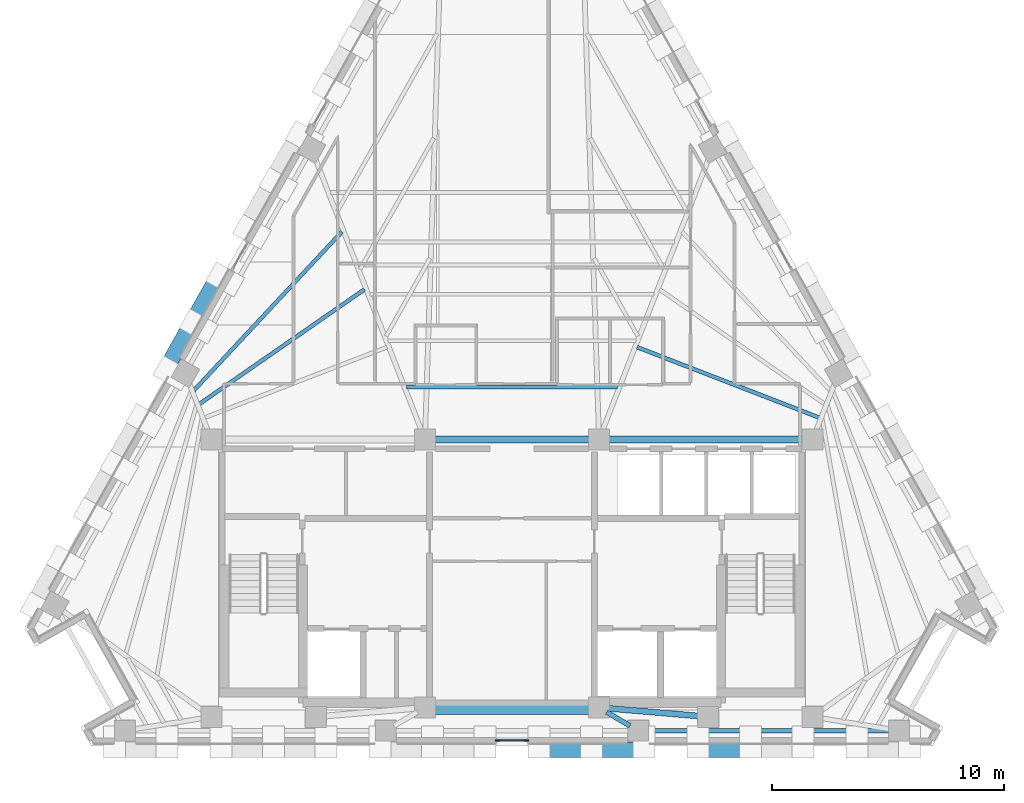
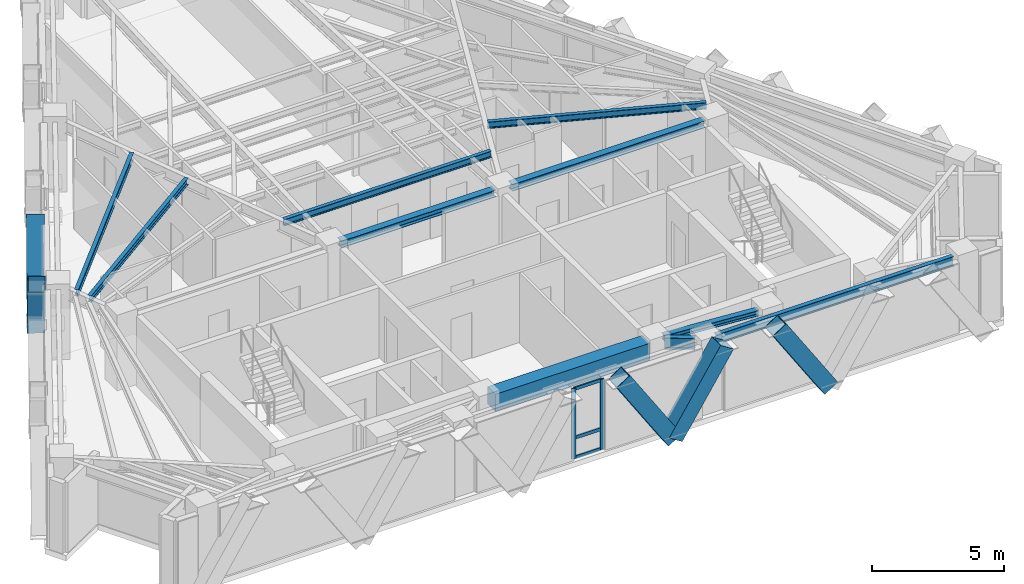
# One storey, part 2 of 12: 10 beams, 10 members, 1 element without a shape of its own.
"""IFC4 building model written with IfcOpenShell, lengths in metres."""

from ifc_helpers import new_model, si_unit, direction, frame, origin, origin_2d, place, context, subcontext, project, spatial, rectangle, hollow_rectangle, i_section, extrude, material, material_profile, profile_set, type_object, element, aggregate, save


model = new_model("IFC4")

# Units and contexts
model_context = context("Model", 3, precision=1e-05, world=origin(), true_north=direction((0.0, 1.0)))
body_context = subcontext(model_context, "Body", "Model", "MODEL_VIEW")
ifc_project = project(units=[si_unit("LENGTHUNIT", "METRE"), si_unit("AREAUNIT", "SQUARE_METRE"), si_unit("VOLUMEUNIT", "CUBIC_METRE"), si_unit("PLANEANGLEUNIT", "RADIAN"), si_unit("MASSUNIT", "GRAM", prefix="KILO")], contexts=[model_context])

# Site, building, storey
site_placement = place(None, origin())
site = spatial("IfcSite", under=ifc_project, at=site_placement, CompositionType="ELEMENT")
building_placement = place(site_placement, origin())
building = spatial("IfcBuilding", under=site, at=building_placement, Name="Quenlor Broadcast Tower", CompositionType="ELEMENT")
storey_placement = place(building_placement, frame((0.0, 0.0, 211.39990234375)))
storey = spatial("IfcBuildingStorey", under=building, at=storey_placement, Name="L58", CompositionType="ELEMENT", Elevation=211.39990234375)

# Curtain wall, members
ifc_material_1 = material(Name="Architectural Terracotta and Low-E Glazing", Category="masonry")
curtain_wall_type = type_object("IfcCurtainWallType", Name="Unitised Terracotta Curtain Wall System Z4", PredefinedType="NOTDEFINED", material=ifc_material_1)
curtain_wall_placement = place(storey_placement, origin())
curtain_wall = element("IfcCurtainWall", 1, at=curtain_wall_placement, inside=storey, type_object=curtain_wall_type, Name="L58 Curtain Wall CW4 (L58-S-G1)", PredefinedType="NOTDEFINED")
ifc_material_2 = material(Name="Aluminium 6063-T6", Category="aluminium")
ifc_material_profile_1 = material_profile(ifc_material_2, rectangle(XDim=0.068115234375, YDim=0.179931640625, at=origin_2d()))
ifc_profile_set_1 = profile_set([ifc_material_profile_1], Name="Aluminium 6063-T6 MULL68x180")
member_type_1 = type_object("IfcMemberType", Name="CW4 Aluminium Mullion MULL_CW4", PredefinedType="MULLION", material=ifc_profile_set_1)
member_1_placement = place(storey_placement, frame((0.62841796875, -17.77490234375, 0.0), z_axis=(0.0, 0.0, 1.0), x_axis=(0.0, -1.0, 0.0)))
member_1 = element("IfcMember", 2, at=member_1_placement, type_object=member_type_1, Name="CW4 mullion 1", PredefinedType="MULLION", context=body_context, shape_type="SweptSolid", body=[
    extrude(rectangle(XDim=0.068115234375, YDim=0.179931640625, at=origin_2d()), origin(), (0.0, 0.0, 1.0), 3.25),
])
member_2_placement = place(storey_placement, frame((-0.62841796875, -17.77490234375, 0.0), z_axis=(0.0, 0.0, 1.0), x_axis=(0.0, -1.0, 0.0)))
member_2 = element("IfcMember", 3, at=member_2_placement, type_object=member_type_1, Name="CW4 mullion 2", PredefinedType="MULLION", context=body_context, shape_type="SweptSolid", body=[
    extrude(rectangle(XDim=0.068115234375, YDim=0.179931640625, at=origin_2d()), origin(), (0.0, 0.0, 1.0), 3.25),
])
ifc_material_3 = material(Name="Aluminium 6063-T6", Category="aluminium")
ifc_material_profile_2 = material_profile(ifc_material_3, rectangle(XDim=0.068115234375, YDim=0.14990234375, at=origin_2d()))
ifc_profile_set_2 = profile_set([ifc_material_profile_2], Name="Aluminium 6063-T6 TRAN68x150")
member_type_2 = type_object("IfcMemberType", Name="CW4 Aluminium Transom TRAN_CW4", PredefinedType="USERDEFINED", material=ifc_profile_set_2)
member_3_placement = place(storey_placement, frame((0.59423828125, -17.77490234375, 0.0341796875), z_axis=(-1.0, 0.0, 0.0), x_axis=(0.0, -1.0, 0.0)))
member_3 = element("IfcMember", 4, at=member_3_placement, type_object=member_type_2, Name="CW4 transom 1.1", ObjectType="TRANSOM", PredefinedType="USERDEFINED", context=body_context, shape_type="SweptSolid", body=[
    extrude(rectangle(XDim=0.068115234375, YDim=0.14990234375, at=origin_2d()), origin(), (0.0, 0.0, 1.0), 1.1884765625),
])
member_4_placement = place(storey_placement, frame((0.59423828125, -17.77490234375, 0.9501953125), z_axis=(-1.0, 0.0, 0.0), x_axis=(0.0, -1.0, 0.0)))
member_4 = element("IfcMember", 5, at=member_4_placement, type_object=member_type_2, Name="CW4 transom 1.2", ObjectType="TRANSOM", PredefinedType="USERDEFINED", context=body_context, shape_type="SweptSolid", body=[
    extrude(rectangle(XDim=0.068115234375, YDim=0.14990234375, at=origin_2d()), origin(), (0.0, 0.0, 1.0), 1.1884765625),
])
member_5_placement = place(storey_placement, frame((0.59423828125, -17.77490234375, 3.216064453125), z_axis=(-1.0, 0.0, 0.0), x_axis=(0.0, -1.0, 0.0)))
member_5 = element("IfcMember", 6, at=member_5_placement, type_object=member_type_2, Name="CW4 transom 1.3", ObjectType="TRANSOM", PredefinedType="USERDEFINED", context=body_context, shape_type="SweptSolid", body=[
    extrude(rectangle(XDim=0.068115234375, YDim=0.14990234375, at=origin_2d()), origin(), (0.0, 0.0, 1.0), 1.1884765625),
])
aggregate(curtain_wall, [member_1, member_2, member_3, member_4, member_5])

# Beams
ifc_material_4 = material(Name="Concrete C50/60", Category="concrete")
ifc_material_profile_3 = material_profile(ifc_material_4, rectangle(XDim=0.60009765625, YDim=0.800048828125, at=origin_2d()))
ifc_profile_set_3 = profile_set([ifc_material_profile_3], Name="Concrete C50/60 RCB600x800")
beam_type_1 = type_object("IfcBeamType", Name="Core Coupling Beam Concrete C50/60 600x800", PredefinedType="BEAM", material=ifc_profile_set_3)
beam_1_placement = place(storey_placement, frame((-3.389892578125, -16.35009765625, 2.85009765625), z_axis=(1.0, 0.0, 0.0), x_axis=(0.0, 1.0, 0.0)))
element("IfcBeam", 7, at=beam_1_placement, inside=storey, type_object=beam_type_1, Name="L58 Core Coupling Beam 6", PredefinedType="BEAM", context=body_context, shape_type="SweptSolid", body=[
    extrude(rectangle(XDim=0.60009765625, YDim=0.800048828125, at=origin_2d()), origin(), (0.0, 0.0, 1.0), 6.77978515625),
])
ifc_material_5 = material(Name="Steel S355", Category="steel")
ifc_material_profile_4 = material_profile(ifc_material_5, i_section(OverallWidth=0.304931640625, OverallDepth=0.30810546875, WebThickness=0.010009765625, FlangeThickness=0.015380859375, FilletRadius=0.0166015625, at=origin_2d()))
ifc_profile_set_4 = profile_set([ifc_material_profile_4], Name="Steel S355 310UC96.8")
beam_type_2 = type_object("IfcBeamType", Name="Core Header Beam Steel S355 310UC96.8", PredefinedType="BEAM", material=ifc_profile_set_4)
beam_2_placement = place(storey_placement, frame((-3.389892578125, -4.800048828125, 3.09619140625), z_axis=(1.0, 0.0, 0.0), x_axis=(0.0, 1.0, 0.0)))
element("IfcBeam", 8, at=beam_2_placement, inside=storey, type_object=beam_type_2, Name="L58 Core Header Beam 2", PredefinedType="BEAM", context=body_context, shape_type="SweptSolid", body=[
    extrude(i_section(OverallWidth=0.304931640625, OverallDepth=0.30810546875, WebThickness=0.010009765625, FlangeThickness=0.015380859375, FilletRadius=0.0166015625, at=origin_2d()), origin(), (0.0, 0.0, 1.0), 6.77978515625),
])
ifc_material_6 = material(Name="Steel S355", Category="steel")
ifc_material_profile_5 = material_profile(ifc_material_6, i_section(OverallWidth=0.25390625, OverallDepth=0.25390625, WebThickness=0.008544921875, FlangeThickness=0.01416015625, FilletRadius=0.013916015625, at=origin_2d()))
ifc_profile_set_5 = profile_set([ifc_material_profile_5], Name="Steel S355 250UC72.9")
beam_type_3 = type_object("IfcBeamType", Name="Core Opening Lintel Beam Steel S355 250UC72.9", PredefinedType="LINTEL", material=ifc_profile_set_5)
beam_3_placement = place(storey_placement, frame((4.108642578125, -16.380615234375, 3.123291015625), z_axis=(0.996399763903, -0.084779186679, 0.0), x_axis=(0.084779186679, 0.996399763903, 0.0)))
element("IfcBeam", 9, at=beam_3_placement, inside=storey, type_object=beam_type_3, Name="L58 Core Opening Lintel Beam 5", PredefinedType="LINTEL", context=body_context, shape_type="SweptSolid", body=[
    extrude(i_section(OverallWidth=0.25390625, OverallDepth=0.25390625, WebThickness=0.008544921875, FlangeThickness=0.01416015625, FilletRadius=0.013916015625, at=origin_2d()), origin(), (0.0, 0.0, 1.0), 3.9970703125),
])
ifc_material_7 = material(Name="Steel S355", Category="steel")
ifc_material_profile_6 = material_profile(ifc_material_7, i_section(OverallWidth=0.306884765625, OverallDepth=0.314697265625, WebThickness=0.011962890625, FlangeThickness=0.018798828125, FilletRadius=0.0166015625, at=origin_2d()))
ifc_profile_set_6 = profile_set([ifc_material_profile_6], Name="Steel S355 310UC118")
beam_type_4 = type_object("IfcBeamType", Name="Core Tie Beam Steel S355 310UC118", PredefinedType="BEAM", material=ifc_profile_set_6)
beam_4_placement = place(storey_placement, frame((4.110107421875, -4.800048828125, 3.0927734375), z_axis=(1.0, 0.0, 0.0), x_axis=(0.0, 1.0, 0.0)))
element("IfcBeam", 10, at=beam_4_placement, inside=storey, type_object=beam_type_4, Name="L58 Core Tie Beam 3", PredefinedType="BEAM", context=body_context, shape_type="SweptSolid", body=[
    extrude(i_section(OverallWidth=0.306884765625, OverallDepth=0.314697265625, WebThickness=0.011962890625, FlangeThickness=0.018798828125, FilletRadius=0.0166015625, at=origin_2d()), origin(), (0.0, 0.0, 1.0), 8.47998046875),
])

# Members
ifc_material_8 = material(Name="Steel S355", Category="steel")
ifc_material_profile_7 = material_profile(ifc_material_8, hollow_rectangle(XDim=0.679931640625, YDim=0.679931640625, WallThickness=0.02490234375, at=origin_2d()))
ifc_profile_set_7 = profile_set([ifc_material_profile_7], Name="Steel S355 RHS680x680x25")
member_type_3 = type_object("IfcMemberType", Name="Perimeter Diagonal Lattice Brace Z3-Z4 Steel S355 RHS680x25", PredefinedType="BRACE", material=ifc_profile_set_7)
for number, where, z_axis, x_axis, name in (
    (11, (10.261962890625, -18.169921875, -0.119873046875), (-0.541794306908, 0.0, 0.840511111766), (0.0, -1.0, 0.0), "L58 Perimeter Diamond Lattice S-C2S"),
    (12, (3.43896484375, -18.169921875, -0.119873046875), (0.541794306908, 0.0, 0.840511111766), (0.0, 1.0, 0.0), "L58 Perimeter Diamond Lattice S-C2B"),
    (13, (3.41162109375, -18.169921875, -0.119873046875), (-0.541794306908, 0.0, 0.840511111766), (0.0, -1.0, 0.0), "L58 Perimeter Diamond Lattice S-C3S"),
):
    element("IfcMember", number, at=place(storey_placement, frame(where, z_axis=z_axis, x_axis=x_axis)), inside=storey, type_object=member_type_3, Name=name, PredefinedType="BRACE", context=body_context, shape_type="SweptSolid", body=[
        extrude(hollow_rectangle(XDim=0.679931640625, YDim=0.679931640625, WallThickness=0.02490234375, at=origin_2d()), origin(), (0.0, 0.0, 1.0), 4.1640625),
    ])
for number, where, z_axis, x_axis, name in (
    (14, (-13.794677734375, 0.22314453125, -0.119873046875), (-0.269485495908, -0.479188912076, 0.835317636614), (0.871620820774, -0.490180726664, 0.0), "L58 Perimeter Diamond Lattice NW-C2B"),
    (15, (-13.781005859375, 0.24755859375, -0.119873046875), (0.269547055694, 0.479136497832, 0.835327840559), (-0.871550060774, 0.49030652817, 0.0), "L58 Perimeter Diamond Lattice NW-C3S"),
):
    element("IfcMember", number, at=place(storey_placement, frame(where, z_axis=z_axis, x_axis=x_axis)), inside=storey, type_object=member_type_3, Name=name, PredefinedType="BRACE", context=body_context, shape_type="SweptSolid", body=[
        extrude(hollow_rectangle(XDim=0.679931640625, YDim=0.679931640625, WallThickness=0.02490234375, at=origin_2d()), origin(), (0.0, 0.0, 1.0), 4.18994140625),
    ])

# Beams
ifc_material_9 = material(Name="Steel S355", Category="steel")
ifc_material_profile_8 = material_profile(ifc_material_9, i_section(OverallWidth=0.18994140625, OverallDepth=0.453857421875, WebThickness=0.008544921875, FlangeThickness=0.0126953125, FilletRadius=0.011474609375, at=origin_2d()))
ifc_profile_set_8 = profile_set([ifc_material_profile_8], Name="Steel S355 460UB67.1")
beam_type_5 = type_object("IfcBeamType", Name="Perimeter Spandrel Beam Z4 Steel S355 460UB67.1", PredefinedType="SPANDREL", material=ifc_profile_set_8)
beam_5_placement = place(storey_placement, frame((5.847900390625, -17.35009765625, 3.023193359375), z_axis=(1.0, 0.0, 0.0), x_axis=(0.0, 1.0, 0.0)))
element("IfcBeam", 16, at=beam_5_placement, inside=storey, type_object=beam_type_5, Name="L58 Spandrel Beam S3-S4", PredefinedType="SPANDREL", context=body_context, shape_type="SweptSolid", body=[
    extrude(i_section(OverallWidth=0.18994140625, OverallDepth=0.453857421875, WebThickness=0.008544921875, FlangeThickness=0.0126953125, FilletRadius=0.011474609375, at=origin_2d()), origin(), (0.0, 0.0, 1.0), 10.41796875),
])
ifc_material_10 = material(Name="Steel S355", Category="steel")
ifc_material_profile_9 = material_profile(ifc_material_10, i_section(OverallWidth=0.166015625, OverallDepth=0.30712890625, WebThickness=0.006591796875, FlangeThickness=0.01171875, FilletRadius=0.011474609375, at=origin_2d()))
ifc_profile_set_9 = profile_set([ifc_material_profile_9], Name="Steel S355 310UB46.2")
beam_type_6 = type_object("IfcBeamType", Name="Tower Composite Joist Z4-Z5 Steel S355 310UB46.2", PredefinedType="JOIST", material=ifc_profile_set_9)
beam_6_placement = place(storey_placement, frame((-4.550048828125, -2.54736328125, 3.096435546875), z_axis=(1.0, 0.0, 0.0), x_axis=(0.0, 1.0, 0.0)))
element("IfcBeam", 17, at=beam_6_placement, inside=storey, type_object=beam_type_6, Name="L58 Secondary Composite Joist 1", PredefinedType="JOIST", context=body_context, shape_type="SweptSolid", body=[
    extrude(i_section(OverallWidth=0.166015625, OverallDepth=0.30712890625, WebThickness=0.006591796875, FlangeThickness=0.01171875, FilletRadius=0.011474609375, at=origin_2d()), origin(), (0.0, 0.0, 1.0), 9.10009765625),
])
beam_7_placement = place(storey_placement, frame((-13.470458984375, -3.273681640625, 3.096435546875), z_axis=(0.821539857981, 0.570151086773, 0.0), x_axis=(-0.570151086773, 0.821539857981, 0.0)))
element("IfcBeam", 18, at=beam_7_placement, inside=storey, type_object=beam_type_6, Name="L58 Secondary Composite Joist 8", PredefinedType="JOIST", context=body_context, shape_type="SweptSolid", body=[
    extrude(i_section(OverallWidth=0.166015625, OverallDepth=0.30712890625, WebThickness=0.006591796875, FlangeThickness=0.01171875, FilletRadius=0.011474609375, at=origin_2d()), origin(), (0.0, 0.0, 1.0), 8.656982421875),
])
beam_8_placement = place(storey_placement, frame((-13.707275390625, -2.691162109375, 3.096435546875), z_axis=(0.682034672805, 0.731319837754, 0.0), x_axis=(-0.731319837754, 0.682034672805, 0.0)))
element("IfcBeam", 19, at=beam_8_placement, inside=storey, type_object=beam_type_6, Name="L58 Secondary Composite Joist 9", PredefinedType="JOIST", context=body_context, shape_type="SweptSolid", body=[
    extrude(i_section(OverallWidth=0.166015625, OverallDepth=0.30712890625, WebThickness=0.006591796875, FlangeThickness=0.01171875, FilletRadius=0.011474609375, at=origin_2d()), origin(), (0.0, 0.0, 1.0), 9.357421875),
])
beam_9_placement = place(storey_placement, frame((13.236083984375, -3.85986328125, 3.096435546875), z_axis=(-0.932639299023, 0.360810113381, 0.0), x_axis=(-0.360810113381, -0.932639299023, 0.0)))
element("IfcBeam", 20, at=beam_9_placement, inside=storey, type_object=beam_type_6, Name="L58 Secondary Composite Joist 10", PredefinedType="JOIST", context=body_context, shape_type="SweptSolid", body=[
    extrude(i_section(OverallWidth=0.166015625, OverallDepth=0.30712890625, WebThickness=0.006591796875, FlangeThickness=0.01171875, FilletRadius=0.011474609375, at=origin_2d()), origin(), (0.0, 0.0, 1.0), 8.413330078125),
])
ifc_material_11 = material(Name="Steel S355", Category="steel")
ifc_material_profile_10 = material_profile(ifc_material_11, i_section(OverallWidth=0.208984375, OverallDepth=0.5283203125, WebThickness=0.009521484375, FlangeThickness=0.01318359375, FilletRadius=0.013916015625, at=origin_2d()))
ifc_profile_set_10 = profile_set([ifc_material_profile_10], Name="Steel S355 530UB82.0")
beam_type_7 = type_object("IfcBeamType", Name="Tower Primary Floor Beam Z4 Steel S355 530UB82.0", PredefinedType="BEAM", material=ifc_profile_set_10)
beam_10_placement = place(storey_placement, frame((5.085205078125, -17.14111328125, 2.986083984375), z_axis=(-0.86032875258, 0.509739578102, 0.0), x_axis=(-0.509739578102, -0.86032875258, 0.0)))
element("IfcBeam", 21, at=beam_10_placement, inside=storey, type_object=beam_type_7, Name="L58 Primary Radial Beam S3", PredefinedType="BEAM", context=body_context, shape_type="SweptSolid", body=[
    extrude(i_section(OverallWidth=0.208984375, OverallDepth=0.5283203125, WebThickness=0.009521484375, FlangeThickness=0.01318359375, FilletRadius=0.013916015625, at=origin_2d()), origin(), (0.0, 0.0, 1.0), 1.171875),
])

save(model, "model.ifc")
